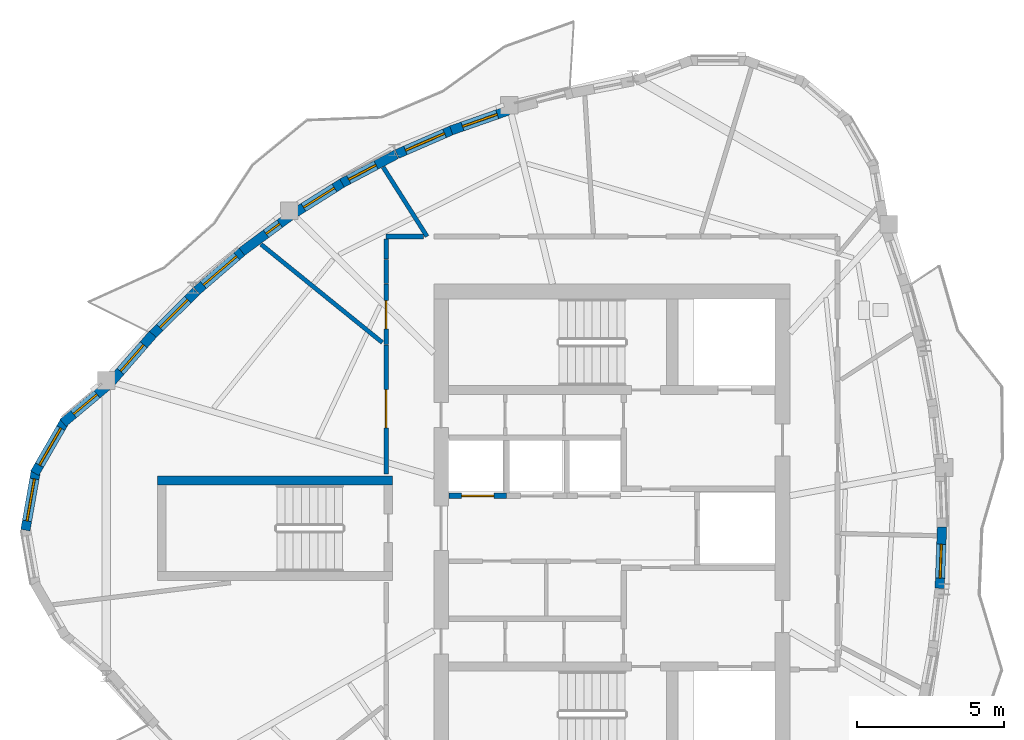
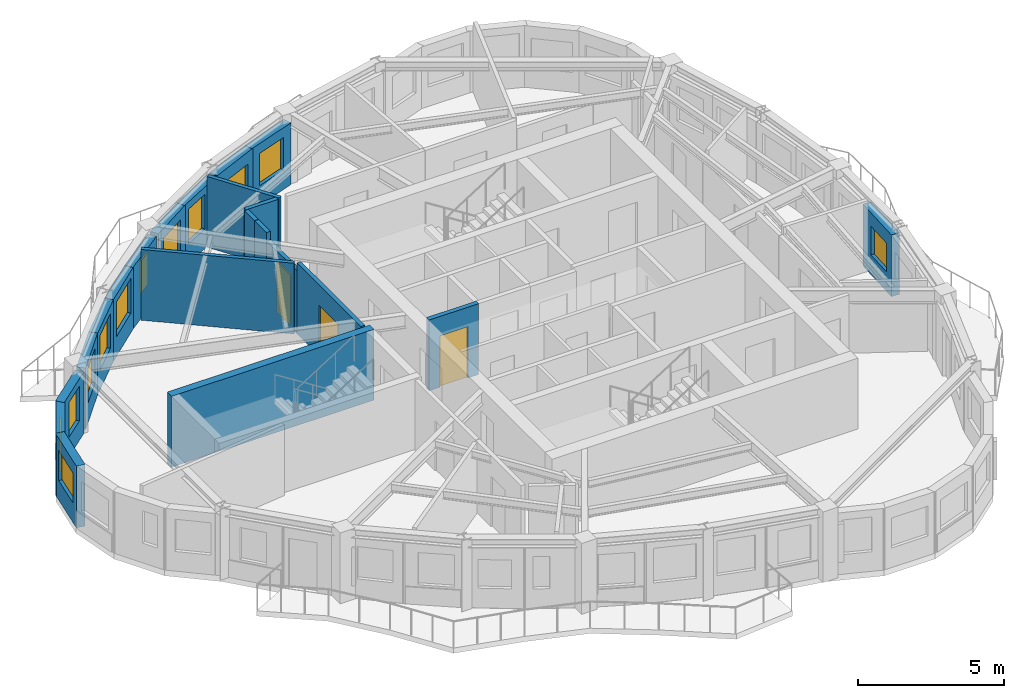
# One storey, part 5 of 11: 21 walls, 12 windows, 3 doors, 15 openings.
"""IFC4 building model written with IfcOpenShell, lengths in metres."""

from ifc_helpers import new_model, si_unit, direction, frame, frame_2d, origin, place, context, subcontext, project, spatial, rectangle, extrude, source, transform, mapped, material, layer, layer_set, type_object, element, fill, save


model = new_model("IFC4")

# Units and contexts
model_context = context("Model", 3, precision=1e-05, world=origin(), true_north=direction((0.0, 1.0)))
body_context = subcontext(model_context, "Body", "Model", "MODEL_VIEW")
ifc_project = project(units=[si_unit("LENGTHUNIT", "METRE"), si_unit("AREAUNIT", "SQUARE_METRE"), si_unit("VOLUMEUNIT", "CUBIC_METRE"), si_unit("PLANEANGLEUNIT", "RADIAN"), si_unit("MASSUNIT", "GRAM", prefix="KILO")], contexts=[model_context])

# Site, building, storey
site_placement = place(None, origin())
site = spatial("IfcSite", under=ifc_project, at=site_placement, CompositionType="ELEMENT")
building_placement = place(site_placement, origin())
building = spatial("IfcBuilding", under=site, at=building_placement, Name="Qafzar Sky-Pleat Residences", CompositionType="ELEMENT")
storey_placement = place(building_placement, frame((0.0, 0.0, 243.60009765625)))
storey = spatial("IfcBuildingStorey", under=building, at=storey_placement, Name="L73", CompositionType="ELEMENT", Elevation=243.60009765625)

# Wall, opening, door
ifc_material_1 = material(Name="Acoustic gypsum plasterboard partition", Category="gypsum")
ifc_layer_1 = layer(ifc_material_1, 0.159912109375)
ifc_layer_set_1 = layer_set([ifc_layer_1], Name="Acoustic gypsum plasterboard partition")
wall_type_1 = type_object("IfcWallType", Name="PART-COR-160", PredefinedType="PARTITIONING", material=ifc_layer_set_1)
wall_1_placement = place(storey_placement, frame((22.679931640625, 27.85009765625, 0.0), z_axis=(0.0, 0.0, 1.0), x_axis=(0.0, 1.0, 0.0)))
wall_1 = element("IfcWall", 1, at=wall_1_placement, inside=storey, type_object=wall_type_1, Name="L73 Partition Wall PART-L73-PW-003", PredefinedType="PARTITIONING", context=body_context, shape_type="SweptSolid", body=[
    extrude(rectangle(XDim=4.376953125, YDim=0.159912109375, at=frame_2d((2.1884765625, 0.0))), origin(), (0.0, 0.0, 1.0), 2.9599609375),
])
opening_1_placement = place(wall_1_placement, frame((1.55859375, 0.0, 0.0)))
opening_1 = element("IfcOpeningElement", 2, at=opening_1_placement, cuts=wall_1, Name="Opening ID-05", PredefinedType="OPENING", context=body_context, shape_type="SweptSolid", body=[
    extrude(rectangle(XDim=1.300048828125, YDim=2.10009765625, at=frame_2d((0.64990234375, 1.050048828125))), frame((0.0, 0.08984375, 0.0), z_axis=(0.0, -1.0, 0.0), x_axis=(1.0, 0.0, 0.0)), (0.0, 0.0, 1.0), 0.179931640625),
])
ifc_material_2 = material(Name="Timber-faced fire door", Category="wood")
door_type_1 = type_object("IfcDoorType", Name="DR-LNG-1300", OperationType="DOUBLE_DOOR_SINGLE_SWING", PredefinedType="DOOR", material=ifc_material_2)
shared_shape_1 = source(origin(), body_context, "Body", "SweptSolid", [
    extrude(rectangle(XDim=1.300048828125, YDim=2.10009765625, at=frame_2d((0.64990234375, 1.050048828125))), frame((0.0, 0.02490234375, 0.0), z_axis=(0.0, -1.0, 0.0), x_axis=(1.0, 0.0, 0.0)), (0.0, 0.0, 1.0), 0.050048828125),
])
door_1_placement = place(opening_1_placement, origin())
door_1 = element("IfcDoor", 3, at=door_1_placement, inside=storey, type_object=door_type_1, Name="L73 Tutorial Huddle Room Door", OperationType="DOUBLE_DOOR_SINGLE_SWING", OverallHeight=2.10009765625, OverallWidth=1.300048828125, PredefinedType="DOOR", context=body_context, shape_type="MappedRepresentation", body=[
    mapped(shared_shape_1, transform((0.0, 0.0, 0.0), x_axis=(1.0, 0.0, 0.0), y_axis=(0.0, 1.0, 0.0), z_axis=(0.0, 0.0, 1.0), scale=1.0)),
])
fill(opening_1, door_1)

wall_2_placement = place(storey_placement, frame((22.679931640625, 32.241943359375, 0.0), z_axis=(0.0, 0.0, 1.0), x_axis=(0.0, 1.0, 0.0)))
wall_2 = element("IfcWall", 4, at=wall_2_placement, inside=storey, type_object=wall_type_1, Name="L73 Partition Wall PART-L73-PW-010", PredefinedType="PARTITIONING", context=body_context, shape_type="SweptSolid", body=[
    extrude(rectangle(XDim=2.05810546875, YDim=0.159912109375, at=frame_2d((1.029052734375, 0.0))), origin(), (0.0, 0.0, 1.0), 2.6279296875),
])
opening_2_placement = place(wall_2_placement, frame((0.531982421875, 0.0, 0.0)))
opening_2 = element("IfcOpeningElement", 5, at=opening_2_placement, cuts=wall_2, Name="Opening ID-06", PredefinedType="OPENING", context=body_context, shape_type="SweptSolid", body=[
    extrude(rectangle(XDim=0.9599609375, YDim=2.10009765625, at=frame_2d((0.47998046875, 1.050048828125))), frame((0.0, 0.08984375, 0.0), z_axis=(0.0, -1.0, 0.0), x_axis=(1.0, 0.0, 0.0)), (0.0, 0.0, 1.0), 0.179931640625),
])
door_type_2 = type_object("IfcDoorType", Name="DR-STD-960", OperationType="NOTDEFINED", PredefinedType="DOOR", material=ifc_material_2)
shared_shape_2 = source(origin(), body_context, "Body", "SweptSolid", [
    extrude(rectangle(XDim=0.9599609375, YDim=2.10009765625, at=frame_2d((0.47998046875, 1.050048828125))), frame((0.0, 0.02490234375, 0.0), z_axis=(0.0, -1.0, 0.0), x_axis=(1.0, 0.0, 0.0)), (0.0, 0.0, 1.0), 0.050048828125),
])
door_2_placement = place(opening_2_placement, origin())
door_2 = element("IfcDoor", 6, at=door_2_placement, inside=storey, type_object=door_type_2, Name="L73 Media Screening Room Door", OperationType="SINGLE_SWING_RIGHT", OverallHeight=2.10009765625, OverallWidth=0.9599609375, PredefinedType="DOOR", context=body_context, shape_type="MappedRepresentation", body=[
    mapped(shared_shape_2, transform((0.0, 0.0, 0.0), x_axis=(1.0, 0.0, 0.0), y_axis=(0.0, 1.0, 0.0), z_axis=(0.0, 0.0, 1.0), scale=1.0)),
])
fill(opening_2, door_2)

# Walls
wall_3_placement = place(storey_placement, frame((22.679931640625, 35.919921875, 0.0), z_axis=(0.0, 0.0, 1.0), x_axis=(1.0, 0.0, 0.0)))
element("IfcWall", 7, at=wall_3_placement, inside=storey, type_object=wall_type_1, Name="L73 Partition Wall PART-L73-PW-024", PredefinedType="PARTITIONING", context=body_context, shape_type="SweptSolid", body=[
    extrude(rectangle(XDim=1.261474609375, YDim=0.159912109375, at=frame_2d((0.630859375, 0.0))), origin(), (0.0, 0.0, 1.0), 2.9599609375),
])
wall_4_placement = place(storey_placement, frame((22.679931640625, 34.31494140625, 0.0), z_axis=(0.0, 0.0, 1.0), x_axis=(0.0, 1.0, 0.0)))
element("IfcWall", 8, at=wall_4_placement, inside=storey, type_object=wall_type_1, Name="L73 Partition Wall PART-L73-PW-028", PredefinedType="PARTITIONING", context=body_context, shape_type="SweptSolid", body=[
    extrude(rectangle(XDim=0.816162109375, YDim=0.159912109375, at=frame_2d((0.408203125, 0.0))), origin(), (0.0, 0.0, 1.0), 2.9599609375),
])
wall_5_placement = place(storey_placement, frame((22.679931640625, 35.14599609375, 0.0), z_axis=(0.0, 0.0, 1.0), x_axis=(0.0, 1.0, 0.0)))
element("IfcWall", 9, at=wall_5_placement, inside=storey, type_object=wall_type_1, Name="L73 Partition Wall PART-L73-PW-030", PredefinedType="PARTITIONING", context=body_context, shape_type="SweptSolid", body=[
    extrude(rectangle(XDim=0.68603515625, YDim=0.159912109375, at=frame_2d((0.343017578125, 0.0))), origin(), (0.0, 0.0, 1.0), 2.9599609375),
])

# Wall, opening, door
ifc_material_3 = material(Name="Concrete blockwork partition", Category="masonry")
ifc_layer_2 = layer(ifc_material_3, 0.179931640625)
ifc_layer_set_2 = layer_set([ifc_layer_2], Name="Concrete blockwork partition")
wall_type_2 = type_object("IfcWallType", Name="PART-SHAFT-180", PredefinedType="PARTITIONING", material=ifc_layer_set_2)
wall_6_placement = place(storey_placement, frame((24.81005859375, 27.10009765625, 0.0), z_axis=(0.0, 0.0, 1.0), x_axis=(1.0, 0.0, 0.0)))
wall_6 = element("IfcWall", 10, at=wall_6_placement, inside=storey, type_object=wall_type_2, Name="L73 Partition Wall PART-L73-P4-S", PredefinedType="PARTITIONING", context=body_context, shape_type="SweptSolid", body=[
    extrude(rectangle(XDim=1.96484375, YDim=0.179931640625, at=frame_2d((0.982421875, 0.0))), origin(), (0.0, 0.0, 1.0), 2.9599609375),
])
opening_3_placement = place(wall_6_placement, frame((0.4326171875, 0.0, 0.0)))
opening_3 = element("IfcOpeningElement", 11, at=opening_3_placement, cuts=wall_6, Name="Opening LD-01", PredefinedType="OPENING", context=body_context, shape_type="SweptSolid", body=[
    extrude(rectangle(XDim=1.10009765625, YDim=2.14990234375, at=frame_2d((0.550048828125, 1.074951171875))), frame((0.0, 0.10009765625, 0.0), z_axis=(0.0, -1.0, 0.0), x_axis=(1.0, 0.0, 0.0)), (0.0, 0.0, 1.0), 0.199951171875),
])
ifc_material_4 = material(Name="Stainless steel sliding landing door", Category="steel")
door_type_3 = type_object("IfcDoorType", Name="DR-LIFT-P", OperationType="DOUBLE_DOOR_SLIDING", PredefinedType="DOOR", material=ifc_material_4)
shared_shape_3 = source(origin(), body_context, "Body", "SweptSolid", [
    extrude(rectangle(XDim=1.10009765625, YDim=2.14990234375, at=frame_2d((0.550048828125, 1.074951171875))), frame((0.0, 0.02490234375, 0.0), z_axis=(0.0, -1.0, 0.0), x_axis=(1.0, 0.0, 0.0)), (0.0, 0.0, 1.0), 0.050048828125),
])
door_3_placement = place(opening_3_placement, origin())
door_3 = element("IfcDoor", 12, at=door_3_placement, inside=storey, type_object=door_type_3, Name="L73 Passenger Lift P4 Landing Door", OperationType="DOUBLE_DOOR_SLIDING", OverallHeight=2.14990234375, OverallWidth=1.10009765625, PredefinedType="DOOR", context=body_context, shape_type="MappedRepresentation", body=[
    mapped(shared_shape_3, transform((0.0, 0.0, 0.0), x_axis=(1.0, 0.0, 0.0), y_axis=(0.0, 1.0, 0.0), z_axis=(0.0, 0.0, 1.0), scale=1.0)),
])
fill(opening_3, door_3)

# Walls
ifc_layer_3 = layer(ifc_material_1, 0.14501953125)
ifc_layer_set_3 = layer_set([ifc_layer_3], Name="Acoustic gypsum plasterboard partition")
wall_type_3 = type_object("IfcWallType", Name="PART-UNIT-145", PredefinedType="PARTITIONING", material=ifc_layer_set_3)
wall_7_placement = place(storey_placement, frame((18.425537109375, 35.65087890625, 0.0), z_axis=(0.0, 0.0, 1.0), x_axis=(0.777348848989, -0.629069763202, 0.0)))
element("IfcWall", 13, at=wall_7_placement, inside=storey, type_object=wall_type_3, Name="L73 Partition Wall PART-L73-PW-015", PredefinedType="PARTITIONING", context=body_context, shape_type="SweptSolid", body=[
    extrude(rectangle(XDim=5.303466796875, YDim=0.14501953125, at=frame_2d((2.65185546875, 0.0))), origin(), (0.0, 0.0, 1.0), 2.9599609375),
])
wall_8_placement = place(storey_placement, frame((22.576416015625, 38.275390625, 0.0), z_axis=(0.0, 0.0, 1.0), x_axis=(0.535027081988, -0.84483490786, 0.0)))
element("IfcWall", 14, at=wall_8_placement, inside=storey, type_object=wall_type_3, Name="L73 Partition Wall PART-L73-PW-021", PredefinedType="PARTITIONING", context=body_context, shape_type="SweptSolid", body=[
    extrude(rectangle(XDim=2.7880859375, YDim=0.14501953125, at=frame_2d((1.39404296875, 0.0))), origin(), (0.0, 0.0, 1.0), 2.9599609375),
])

# Wall, opening, window
ifc_material_5 = material(Name="Precast concrete C40/50 with honed Riyadh limestone", Category="concrete")
ifc_layer_4 = layer(ifc_material_5, 0.320068359375)
ifc_layer_set_4 = layer_set([ifc_layer_4], Name="Precast concrete C40/50 with honed Riyadh limestone")
wall_type_4 = type_object("IfcWallType", Name="WALL-EXT-320", PredefinedType="SOLIDWALL", material=ifc_layer_set_4)
wall_9_placement = place(storey_placement, frame((13.198974609375, 30.842529296875, 0.0), z_axis=(0.0, 0.0, 1.0), x_axis=(-0.766116451135, -0.642701784112, 0.0)))
wall_9 = element("IfcWall", 15, at=wall_9_placement, inside=storey, type_object=wall_type_4, Name="L73 Limestone Facade Wall 1", PredefinedType="SOLIDWALL", context=body_context, shape_type="SweptSolid", body=[
    extrude(rectangle(XDim=1.96240234375, YDim=0.320068359375, at=frame_2d((0.981201171875, 0.0))), origin(), (0.0, 0.0, 1.0), 2.579833984375),
])
opening_4_placement = place(wall_9_placement, frame((0.451171875, 0.0, 0.820068359375)))
opening_4 = element("IfcOpeningElement", 16, at=opening_4_placement, cuts=wall_9, Name="Opening WN-06", PredefinedType="OPENING", context=body_context, shape_type="SweptSolid", body=[
    extrude(rectangle(XDim=1.050048828125, YDim=1.449951171875, at=frame_2d((0.52490234375, 0.72509765625))), frame((0.0, 0.169921875, 0.0), z_axis=(0.0, -1.0, 0.0), x_axis=(1.0, 0.0, 0.0)), (0.0, 0.0, 1.0), 0.340087890625),
])
ifc_material_6 = material(Name="Solar-control low-E glass in bronze aluminium frame", Category="glass")
window_type_1 = type_object("IfcWindowType", Name="WIN-06", PartitioningType="SINGLE_PANEL", PredefinedType="WINDOW", material=ifc_material_6)
shared_shape_4 = source(origin(), body_context, "Body", "SweptSolid", [
    extrude(rectangle(XDim=1.050048828125, YDim=1.449951171875, at=frame_2d((0.52490234375, 0.72509765625))), frame((0.0, 0.030029296875, 0.0), z_axis=(0.0, -1.0, 0.0), x_axis=(1.0, 0.0, 0.0)), (0.0, 0.0, 1.0), 0.06005859375),
])
window_1_placement = place(opening_4_placement, origin())
window_1 = element("IfcWindow", 17, at=window_1_placement, inside=storey, type_object=window_type_1, Name="L73 Punched Facade Window 01", OverallHeight=1.449951171875, OverallWidth=1.050048828125, PartitioningType="SINGLE_PANEL", PredefinedType="WINDOW", context=body_context, shape_type="MappedRepresentation", body=[
    mapped(shared_shape_4, transform((0.0, 0.0, 0.0), x_axis=(1.0, 0.0, 0.0), y_axis=(0.0, 1.0, 0.0), z_axis=(0.0, 0.0, 1.0), scale=1.0)),
])
fill(opening_4, window_1)

wall_10_placement = place(storey_placement, frame((11.779541015625, 29.68115234375, 0.0), z_axis=(0.0, 0.0, 1.0), x_axis=(-0.499995423472, -0.866028046028, 0.0)))
wall_10 = element("IfcWall", 18, at=wall_10_placement, inside=storey, type_object=wall_type_4, Name="L73 Limestone Facade Wall 2", PredefinedType="SOLIDWALL", context=body_context, shape_type="SweptSolid", body=[
    extrude(rectangle(XDim=2.09033203125, YDim=0.320068359375, at=frame_2d((1.045166015625, 0.0))), origin(), (0.0, 0.0, 1.0), 2.579833984375),
])
opening_5_placement = place(wall_10_placement, frame((0.3203125, 0.0, 0.820068359375)))
opening_5 = element("IfcOpeningElement", 19, at=opening_5_placement, cuts=wall_10, Name="Opening WN-15", PredefinedType="OPENING", context=body_context, shape_type="SweptSolid", body=[
    extrude(rectangle(XDim=1.449951171875, YDim=1.25, at=frame_2d((0.72509765625, 0.625))), frame((0.0, 0.169921875, 0.0), z_axis=(0.0, -1.0, 0.0), x_axis=(1.0, 0.0, 0.0)), (0.0, 0.0, 1.0), 0.340087890625),
])
window_type_2 = type_object("IfcWindowType", Name="WIN-15", PartitioningType="SINGLE_PANEL", PredefinedType="WINDOW", material=ifc_material_6)
shared_shape_5 = source(origin(), body_context, "Body", "SweptSolid", [
    extrude(rectangle(XDim=1.449951171875, YDim=1.25, at=frame_2d((0.72509765625, 0.625))), frame((0.0, 0.030029296875, 0.0), z_axis=(0.0, -1.0, 0.0), x_axis=(1.0, 0.0, 0.0)), (0.0, 0.0, 1.0), 0.06005859375),
])
window_2_placement = place(opening_5_placement, origin())
window_2 = element("IfcWindow", 20, at=window_2_placement, inside=storey, type_object=window_type_2, Name="L73 Punched Facade Window 02", OverallHeight=1.25, OverallWidth=1.449951171875, PartitioningType="SINGLE_PANEL", PredefinedType="WINDOW", context=body_context, shape_type="MappedRepresentation", body=[
    mapped(shared_shape_5, transform((0.0, 0.0, 0.0), x_axis=(1.0, 0.0, 0.0), y_axis=(0.0, 1.0, 0.0), z_axis=(0.0, 0.0, 1.0), scale=1.0)),
])
fill(opening_5, window_2)

wall_11_placement = place(storey_placement, frame((10.779052734375, 27.993408203125, 0.0), z_axis=(0.0, 0.0, 1.0), x_axis=(-0.173672066494, -0.984803540469, 0.0)))
wall_11 = element("IfcWall", 21, at=wall_11_placement, inside=storey, type_object=wall_type_4, Name="L73 Limestone Facade Wall 3", PredefinedType="SOLIDWALL", context=body_context, shape_type="SweptSolid", body=[
    extrude(rectangle(XDim=2.09033203125, YDim=0.320068359375, at=frame_2d((1.045166015625, 0.0))), origin(), (0.0, 0.0, 1.0), 2.579833984375),
])
opening_6_placement = place(wall_11_placement, frame((0.3203125, 0.0, 0.820068359375)))
opening_6 = element("IfcOpeningElement", 22, at=opening_6_placement, cuts=wall_11, Name="Opening WN-15", PredefinedType="OPENING", context=body_context, shape_type="SweptSolid", body=[
    extrude(rectangle(XDim=1.449951171875, YDim=1.25, at=frame_2d((0.72509765625, 0.625))), frame((0.0, 0.169921875, 0.0), z_axis=(0.0, -1.0, 0.0), x_axis=(1.0, 0.0, 0.0)), (0.0, 0.0, 1.0), 0.340087890625),
])
window_3_placement = place(opening_6_placement, origin())
window_3 = element("IfcWindow", 23, at=window_3_placement, inside=storey, type_object=window_type_2, Name="L73 Punched Facade Window 03", OverallHeight=1.25, OverallWidth=1.449951171875, PartitioningType="SINGLE_PANEL", PredefinedType="WINDOW", context=body_context, shape_type="MappedRepresentation", body=[
    mapped(shared_shape_5, transform((0.0, 0.0, 0.0), x_axis=(1.0, 0.0, 0.0), y_axis=(0.0, 1.0, 0.0), z_axis=(0.0, 0.0, 1.0), scale=1.0)),
])
fill(opening_6, window_3)

wall_12_placement = place(storey_placement, frame((41.49365234375, 23.958984375, 0.0), z_axis=(0.0, 0.0, 1.0), x_axis=(0.038028678064, 0.999276648203, 0.0)))
wall_12 = element("IfcWall", 24, at=wall_12_placement, inside=storey, type_object=wall_type_4, Name="L73 Limestone Facade Wall 27", PredefinedType="SOLIDWALL", context=body_context, shape_type="SweptSolid", body=[
    extrude(rectangle(XDim=2.08642578125, YDim=0.320068359375, at=frame_2d((1.043212890625, 0.0))), origin(), (0.0, 0.0, 1.0), 2.579833984375),
])
opening_7_placement = place(wall_12_placement, frame((0.34619140625, 0.0, 0.820068359375)))
opening_7 = element("IfcOpeningElement", 25, at=opening_7_placement, cuts=wall_12, Name="Opening WN-16", PredefinedType="OPENING", context=body_context, shape_type="SweptSolid", body=[
    extrude(rectangle(XDim=1.14990234375, YDim=1.199951171875, at=frame_2d((0.574951171875, 0.60009765625))), frame((0.0, 0.169921875, 0.0), z_axis=(0.0, -1.0, 0.0), x_axis=(1.0, 0.0, 0.0)), (0.0, 0.0, 1.0), 0.340087890625),
])
window_type_3 = type_object("IfcWindowType", Name="WIN-16", PartitioningType="SINGLE_PANEL", PredefinedType="WINDOW", material=ifc_material_6)
shared_shape_6 = source(origin(), body_context, "Body", "SweptSolid", [
    extrude(rectangle(XDim=1.14990234375, YDim=1.199951171875, at=frame_2d((0.574951171875, 0.60009765625))), frame((0.0, 0.030029296875, 0.0), z_axis=(0.0, -1.0, 0.0), x_axis=(1.0, 0.0, 0.0)), (0.0, 0.0, 1.0), 0.06005859375),
])
window_4_placement = place(opening_7_placement, origin())
window_4 = element("IfcWindow", 26, at=window_4_placement, inside=storey, type_object=window_type_3, Name="L73 Punched Facade Window 27", OverallHeight=1.199951171875, OverallWidth=1.14990234375, PartitioningType="SINGLE_PANEL", PredefinedType="WINDOW", context=body_context, shape_type="MappedRepresentation", body=[
    mapped(shared_shape_6, transform((0.0, 0.0, 0.0), x_axis=(1.0, 0.0, 0.0), y_axis=(0.0, 1.0, 0.0), z_axis=(0.0, 0.0, 1.0), scale=1.0)),
])
fill(opening_7, window_4)

wall_13_placement = place(storey_placement, frame((26.826416015625, 40.199462890625, 0.0), z_axis=(0.0, 0.0, 1.0), x_axis=(-0.944152853185, -0.329507799335, 0.0)))
wall_13 = element("IfcWall", 27, at=wall_13_placement, inside=storey, type_object=wall_type_4, Name="L73 Limestone Facade Wall 41", PredefinedType="SOLIDWALL", context=body_context, shape_type="SweptSolid", body=[
    extrude(rectangle(XDim=2.05224609375, YDim=0.320068359375, at=frame_2d((1.026123046875, 0.0))), origin(), (0.0, 0.0, 1.0), 2.579833984375),
])
opening_8_placement = place(wall_13_placement, frame((0.39599609375, 0.0, 0.820068359375)))
opening_8 = element("IfcOpeningElement", 28, at=opening_8_placement, cuts=wall_13, Name="Opening WN-11", PredefinedType="OPENING", context=body_context, shape_type="SweptSolid", body=[
    extrude(rectangle(XDim=1.25, YDim=1.35009765625, at=frame_2d((0.625, 0.675048828125))), frame((0.0, 0.169921875, 0.0), z_axis=(0.0, -1.0, 0.0), x_axis=(1.0, 0.0, 0.0)), (0.0, 0.0, 1.0), 0.340087890625),
])
window_type_4 = type_object("IfcWindowType", Name="WIN-11", PartitioningType="SINGLE_PANEL", PredefinedType="WINDOW", material=ifc_material_6)
shared_shape_7 = source(origin(), body_context, "Body", "SweptSolid", [
    extrude(rectangle(XDim=1.25, YDim=1.35009765625, at=frame_2d((0.625, 0.675048828125))), frame((0.0, 0.030029296875, 0.0), z_axis=(0.0, -1.0, 0.0), x_axis=(1.0, 0.0, 0.0)), (0.0, 0.0, 1.0), 0.06005859375),
])
window_5_placement = place(opening_8_placement, origin())
window_5 = element("IfcWindow", 29, at=window_5_placement, inside=storey, type_object=window_type_4, Name="L73 Punched Facade Window 41", OverallHeight=1.35009765625, OverallWidth=1.25, PartitioningType="SINGLE_PANEL", PredefinedType="WINDOW", context=body_context, shape_type="MappedRepresentation", body=[
    mapped(shared_shape_7, transform((0.0, 0.0, 0.0), x_axis=(1.0, 0.0, 0.0), y_axis=(0.0, 1.0, 0.0), z_axis=(0.0, 0.0, 1.0), scale=1.0)),
])
fill(opening_8, window_5)

wall_14_placement = place(storey_placement, frame((24.970458984375, 39.55517578125, 0.0), z_axis=(0.0, 0.0, 1.0), x_axis=(-0.917086701486, -0.398687825193, 0.0)))
wall_14 = element("IfcWall", 30, at=wall_14_placement, inside=storey, type_object=wall_type_4, Name="L73 Limestone Facade Wall 42", PredefinedType="SOLIDWALL", context=body_context, shape_type="SweptSolid", body=[
    extrude(rectangle(XDim=2.0986328125, YDim=0.320068359375, at=frame_2d((1.04931640625, 0.0))), origin(), (0.0, 0.0, 1.0), 2.579833984375),
])
opening_9_placement = place(wall_14_placement, frame((0.334228515625, 0.0, 0.820068359375)))
opening_9 = element("IfcOpeningElement", 31, at=opening_9_placement, cuts=wall_14, Name="Opening WN-15", PredefinedType="OPENING", context=body_context, shape_type="SweptSolid", body=[
    extrude(rectangle(XDim=1.449951171875, YDim=1.25, at=frame_2d((0.72509765625, 0.625))), frame((0.0, 0.169921875, 0.0), z_axis=(0.0, -1.0, 0.0), x_axis=(1.0, 0.0, 0.0)), (0.0, 0.0, 1.0), 0.340087890625),
])
window_6_placement = place(opening_9_placement, origin())
window_6 = element("IfcWindow", 32, at=window_6_placement, inside=storey, type_object=window_type_2, Name="L73 Punched Facade Window 42", OverallHeight=1.25, OverallWidth=1.449951171875, PartitioningType="SINGLE_PANEL", PredefinedType="WINDOW", context=body_context, shape_type="MappedRepresentation", body=[
    mapped(shared_shape_5, transform((0.0, 0.0, 0.0), x_axis=(1.0, 0.0, 0.0), y_axis=(0.0, 1.0, 0.0), z_axis=(0.0, 0.0, 1.0), scale=1.0)),
])
fill(opening_9, window_6)

wall_15_placement = place(storey_placement, frame((23.02099609375, 38.70654296875, 0.0), z_axis=(0.0, 0.0, 1.0), x_axis=(-0.884384752847, -0.466758619558, 0.0)))
wall_15 = element("IfcWall", 33, at=wall_15_placement, inside=storey, type_object=wall_type_4, Name="L73 Limestone Facade Wall 43", PredefinedType="SOLIDWALL", context=body_context, shape_type="SweptSolid", body=[
    extrude(rectangle(XDim=2.0869140625, YDim=0.320068359375, at=frame_2d((1.04345703125, 0.0))), origin(), (0.0, 0.0, 1.0), 2.579833984375),
])
opening_10_placement = place(wall_15_placement, frame((0.776611328125, 0.0, 0.820068359375)))
opening_10 = element("IfcOpeningElement", 34, at=opening_10_placement, cuts=wall_15, Name="Opening WN-06", PredefinedType="OPENING", context=body_context, shape_type="SweptSolid", body=[
    extrude(rectangle(XDim=1.050048828125, YDim=1.449951171875, at=frame_2d((0.52490234375, 0.72509765625))), frame((0.0, 0.169921875, 0.0), z_axis=(0.0, -1.0, 0.0), x_axis=(1.0, 0.0, 0.0)), (0.0, 0.0, 1.0), 0.340087890625),
])
window_7_placement = place(opening_10_placement, origin())
window_7 = element("IfcWindow", 35, at=window_7_placement, inside=storey, type_object=window_type_1, Name="L73 Punched Facade Window 43-2", OverallHeight=1.449951171875, OverallWidth=1.050048828125, PartitioningType="SINGLE_PANEL", PredefinedType="WINDOW", context=body_context, shape_type="MappedRepresentation", body=[
    mapped(shared_shape_4, transform((0.0, 0.0, 0.0), x_axis=(1.0, 0.0, 0.0), y_axis=(0.0, 1.0, 0.0), z_axis=(0.0, 0.0, 1.0), scale=1.0)),
])
fill(opening_10, window_7)

wall_16_placement = place(storey_placement, frame((21.251708984375, 37.776611328125, 0.0), z_axis=(0.0, 0.0, 1.0), x_axis=(-0.846382416581, -0.532575633034, 0.0)))
wall_16 = element("IfcWall", 36, at=wall_16_placement, inside=storey, type_object=wall_type_4, Name="L73 Limestone Facade Wall 44", PredefinedType="SOLIDWALL", context=body_context, shape_type="SweptSolid", body=[
    extrude(rectangle(XDim=2.0166015625, YDim=0.320068359375, at=frame_2d((1.00830078125, 0.0))), origin(), (0.0, 0.0, 1.0), 2.579833984375),
])
opening_11_placement = place(wall_16_placement, frame((0.38818359375, 0.0, 0.820068359375)))
opening_11 = element("IfcOpeningElement", 37, at=opening_11_placement, cuts=wall_16, Name="Opening WN-11", PredefinedType="OPENING", context=body_context, shape_type="SweptSolid", body=[
    extrude(rectangle(XDim=1.25, YDim=1.35009765625, at=frame_2d((0.625, 0.675048828125))), frame((0.0, 0.169921875, 0.0), z_axis=(0.0, -1.0, 0.0), x_axis=(1.0, 0.0, 0.0)), (0.0, 0.0, 1.0), 0.340087890625),
])
window_8_placement = place(opening_11_placement, origin())
window_8 = element("IfcWindow", 38, at=window_8_placement, inside=storey, type_object=window_type_4, Name="L73 Punched Facade Window 44", OverallHeight=1.35009765625, OverallWidth=1.25, PartitioningType="SINGLE_PANEL", PredefinedType="WINDOW", context=body_context, shape_type="MappedRepresentation", body=[
    mapped(shared_shape_7, transform((0.0, 0.0, 0.0), x_axis=(1.0, 0.0, 0.0), y_axis=(0.0, 1.0, 0.0), z_axis=(0.0, 0.0, 1.0), scale=1.0)),
])
fill(opening_11, window_8)

wall_17_placement = place(storey_placement, frame((19.40625, 36.60791015625, 0.0), z_axis=(0.0, 0.0, 1.0), x_axis=(-0.803853407146, -0.594827453821, 0.0)))
wall_17 = element("IfcWall", 39, at=wall_17_placement, inside=storey, type_object=wall_type_4, Name="L73 Limestone Facade Wall 45", PredefinedType="SOLIDWALL", context=body_context, shape_type="SweptSolid", body=[
    extrude(rectangle(XDim=2.02880859375, YDim=0.320068359375, at=frame_2d((1.014404296875, 0.0))), origin(), (0.0, 0.0, 1.0), 2.579833984375),
])
opening_12_placement = place(wall_17_placement, frame((0.42822265625, 0.0, 0.820068359375)))
opening_12 = element("IfcOpeningElement", 40, at=opening_12_placement, cuts=wall_17, Name="Opening WN-17", PredefinedType="OPENING", context=body_context, shape_type="SweptSolid", body=[
    extrude(rectangle(XDim=0.580078125, YDim=1.35009765625, at=frame_2d((0.2900390625, 0.675048828125))), frame((0.0, 0.169921875, 0.0), z_axis=(0.0, -1.0, 0.0), x_axis=(1.0, 0.0, 0.0)), (0.0, 0.0, 1.0), 0.340087890625),
])
window_type_5 = type_object("IfcWindowType", Name="WIN-17", PartitioningType="SINGLE_PANEL", PredefinedType="WINDOW", material=ifc_material_6)
shared_shape_8 = source(origin(), body_context, "Body", "SweptSolid", [
    extrude(rectangle(XDim=0.580078125, YDim=1.35009765625, at=frame_2d((0.2900390625, 0.675048828125))), frame((0.0, 0.030029296875, 0.0), z_axis=(0.0, -1.0, 0.0), x_axis=(1.0, 0.0, 0.0)), (0.0, 0.0, 1.0), 0.06005859375),
])
window_9_placement = place(opening_12_placement, origin())
window_9 = element("IfcWindow", 41, at=window_9_placement, inside=storey, type_object=window_type_5, Name="L73 Punched Facade Window 45", OverallHeight=1.35009765625, OverallWidth=0.580078125, PartitioningType="SINGLE_PANEL", PredefinedType="WINDOW", context=body_context, shape_type="MappedRepresentation", body=[
    mapped(shared_shape_8, transform((0.0, 0.0, 0.0), x_axis=(1.0, 0.0, 0.0), y_axis=(0.0, 1.0, 0.0), z_axis=(0.0, 0.0, 1.0), scale=1.0)),
])
fill(opening_12, window_9)

wall_18_placement = place(storey_placement, frame((17.843994140625, 35.4560546875, 0.0), z_axis=(0.0, 0.0, 1.0), x_axis=(-0.757409961601, -0.652939622069, 0.0)))
wall_18 = element("IfcWall", 42, at=wall_18_placement, inside=storey, type_object=wall_type_4, Name="L73 Limestone Facade Wall 46", PredefinedType="SOLIDWALL", context=body_context, shape_type="SweptSolid", body=[
    extrude(rectangle(XDim=2.121826171875, YDim=0.320068359375, at=frame_2d((1.06103515625, 0.0))), origin(), (0.0, 0.0, 1.0), 2.579833984375),
])
opening_13_placement = place(wall_18_placement, frame((0.321044921875, 0.0, 0.820068359375)))
opening_13 = element("IfcOpeningElement", 43, at=opening_13_placement, cuts=wall_18, Name="Opening WN-03", PredefinedType="OPENING", context=body_context, shape_type="SweptSolid", body=[
    extrude(rectangle(XDim=1.5, YDim=1.449951171875, at=frame_2d((0.75, 0.72509765625))), frame((0.0, 0.169921875, 0.0), z_axis=(0.0, -1.0, 0.0), x_axis=(1.0, 0.0, 0.0)), (0.0, 0.0, 1.0), 0.340087890625),
])
window_type_6 = type_object("IfcWindowType", Name="WIN-03", PartitioningType="DOUBLE_PANEL_VERTICAL", PredefinedType="WINDOW", material=ifc_material_6)
shared_shape_9 = source(origin(), body_context, "Body", "SweptSolid", [
    extrude(rectangle(XDim=1.5, YDim=1.449951171875, at=frame_2d((0.75, 0.72509765625))), frame((0.0, 0.030029296875, 0.0), z_axis=(0.0, -1.0, 0.0), x_axis=(1.0, 0.0, 0.0)), (0.0, 0.0, 1.0), 0.06005859375),
])
window_10_placement = place(opening_13_placement, origin())
window_10 = element("IfcWindow", 44, at=window_10_placement, inside=storey, type_object=window_type_6, Name="L73 Punched Facade Window 46", OverallHeight=1.449951171875, OverallWidth=1.5, PartitioningType="SINGLE_PANEL", PredefinedType="WINDOW", context=body_context, shape_type="MappedRepresentation", body=[
    mapped(shared_shape_9, transform((0.0, 0.0, 0.0), x_axis=(1.0, 0.0, 0.0), y_axis=(0.0, 1.0, 0.0), z_axis=(0.0, 0.0, 1.0), scale=1.0)),
])
fill(opening_13, window_10)

wall_19_placement = place(storey_placement, frame((16.2158203125, 34.051025390625, 0.0), z_axis=(0.0, 0.0, 1.0), x_axis=(-0.708407178152, -0.70580398833, 0.0)))
wall_19 = element("IfcWall", 45, at=wall_19_placement, inside=storey, type_object=wall_type_4, Name="L73 Limestone Facade Wall 47", PredefinedType="SOLIDWALL", context=body_context, shape_type="SweptSolid", body=[
    extrude(rectangle(XDim=2.156982421875, YDim=0.320068359375, at=frame_2d((1.07861328125, 0.0))), origin(), (0.0, 0.0, 1.0), 2.579833984375),
])
opening_14_placement = place(wall_19_placement, frame((0.3935546875, 0.0, 0.820068359375)))
opening_14 = element("IfcOpeningElement", 46, at=opening_14_placement, cuts=wall_19, Name="Opening WN-04", PredefinedType="OPENING", context=body_context, shape_type="SweptSolid", body=[
    extrude(rectangle(XDim=1.35009765625, YDim=1.449951171875, at=frame_2d((0.675048828125, 0.72509765625))), frame((0.0, 0.169921875, 0.0), z_axis=(0.0, -1.0, 0.0), x_axis=(1.0, 0.0, 0.0)), (0.0, 0.0, 1.0), 0.340087890625),
])
window_type_7 = type_object("IfcWindowType", Name="WIN-04", PartitioningType="SINGLE_PANEL", PredefinedType="WINDOW", material=ifc_material_6)
shared_shape_10 = source(origin(), body_context, "Body", "SweptSolid", [
    extrude(rectangle(XDim=1.35009765625, YDim=1.449951171875, at=frame_2d((0.675048828125, 0.72509765625))), frame((0.0, 0.030029296875, 0.0), z_axis=(0.0, -1.0, 0.0), x_axis=(1.0, 0.0, 0.0)), (0.0, 0.0, 1.0), 0.06005859375),
])
window_11_placement = place(opening_14_placement, origin())
window_11 = element("IfcWindow", 47, at=window_11_placement, inside=storey, type_object=window_type_7, Name="L73 Punched Facade Window 47", OverallHeight=1.449951171875, OverallWidth=1.35009765625, PartitioningType="SINGLE_PANEL", PredefinedType="WINDOW", context=body_context, shape_type="MappedRepresentation", body=[
    mapped(shared_shape_10, transform((0.0, 0.0, 0.0), x_axis=(1.0, 0.0, 0.0), y_axis=(0.0, 1.0, 0.0), z_axis=(0.0, 0.0, 1.0), scale=1.0)),
])
fill(opening_14, window_11)

wall_20_placement = place(storey_placement, frame((14.747314453125, 32.59228515625, 0.0), z_axis=(0.0, 0.0, 1.0), x_axis=(-0.657637026097, -0.753334946691, 0.0)))
wall_20 = element("IfcWall", 48, at=wall_20_placement, inside=storey, type_object=wall_type_4, Name="L73 Limestone Facade Wall 48", PredefinedType="SOLIDWALL", context=body_context, shape_type="SweptSolid", body=[
    extrude(rectangle(XDim=2.1328125, YDim=0.320068359375, at=frame_2d((1.06640625, 0.0))), origin(), (0.0, 0.0, 1.0), 2.579833984375),
])
opening_15_placement = place(wall_20_placement, frame((0.471435546875, 0.0, 0.820068359375)))
opening_15 = element("IfcOpeningElement", 49, at=opening_15_placement, cuts=wall_20, Name="Opening WN-05", PredefinedType="OPENING", context=body_context, shape_type="SweptSolid", body=[
    extrude(rectangle(XDim=1.199951171875, YDim=1.449951171875, at=frame_2d((0.60009765625, 0.72509765625))), frame((0.0, 0.169921875, 0.0), z_axis=(0.0, -1.0, 0.0), x_axis=(1.0, 0.0, 0.0)), (0.0, 0.0, 1.0), 0.340087890625),
])
window_type_8 = type_object("IfcWindowType", Name="WIN-05", PartitioningType="SINGLE_PANEL", PredefinedType="WINDOW", material=ifc_material_6)
shared_shape_11 = source(origin(), body_context, "Body", "SweptSolid", [
    extrude(rectangle(XDim=1.199951171875, YDim=1.449951171875, at=frame_2d((0.60009765625, 0.72509765625))), frame((0.0, 0.030029296875, 0.0), z_axis=(0.0, -1.0, 0.0), x_axis=(1.0, 0.0, 0.0)), (0.0, 0.0, 1.0), 0.06005859375),
])
window_12_placement = place(opening_15_placement, origin())
window_12 = element("IfcWindow", 50, at=window_12_placement, inside=storey, type_object=window_type_8, Name="L73 Punched Facade Window 48", OverallHeight=1.449951171875, OverallWidth=1.199951171875, PartitioningType="SINGLE_PANEL", PredefinedType="WINDOW", context=body_context, shape_type="MappedRepresentation", body=[
    mapped(shared_shape_11, transform((0.0, 0.0, 0.0), x_axis=(1.0, 0.0, 0.0), y_axis=(0.0, 1.0, 0.0), z_axis=(0.0, 0.0, 1.0), scale=1.0)),
])
fill(opening_15, window_12)

# Wall
ifc_material_7 = material(Name="Concrete C60/75", Category="concrete")
ifc_layer_5 = layer(ifc_material_7, 0.300048828125)
ifc_layer_set_5 = layer_set([ifc_layer_5], Name="Concrete C60/75")
wall_type_5 = type_object("IfcWallType", Name="WALL-SHEAR-300", PredefinedType="SHEAR", material=ifc_layer_set_5)
wall_21_placement = place(storey_placement, frame((22.89990234375, 27.625, 0.0), z_axis=(0.0, 0.0, 1.0), x_axis=(-1.0, 0.0, 0.0)))
element("IfcWall", 51, at=wall_21_placement, inside=storey, type_object=wall_type_5, Name="L73 ST3 wall N", PredefinedType="SHEAR", context=body_context, shape_type="SweptSolid", body=[
    extrude(rectangle(XDim=8.0, YDim=0.300048828125, at=frame_2d((4.0, 0.0))), origin(), (0.0, 0.0, 1.0), 2.9599609375),
])

save(model, "model.ifc")
